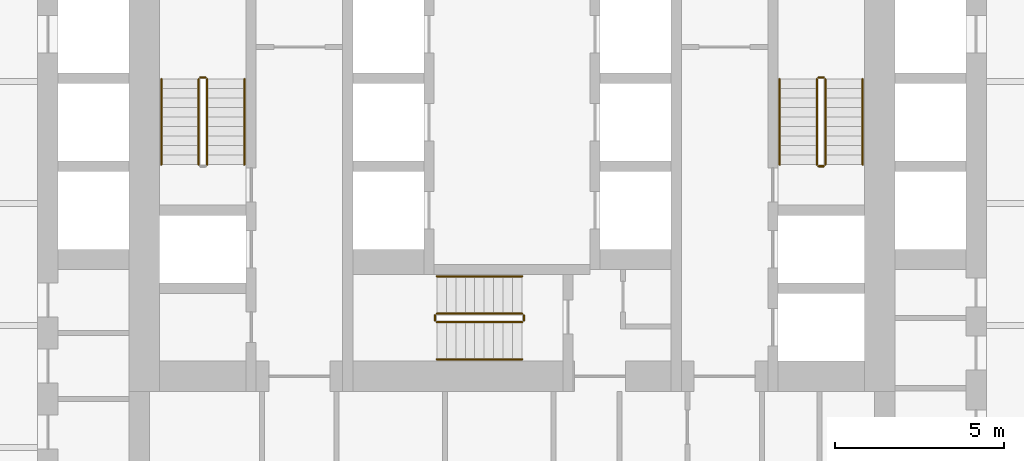
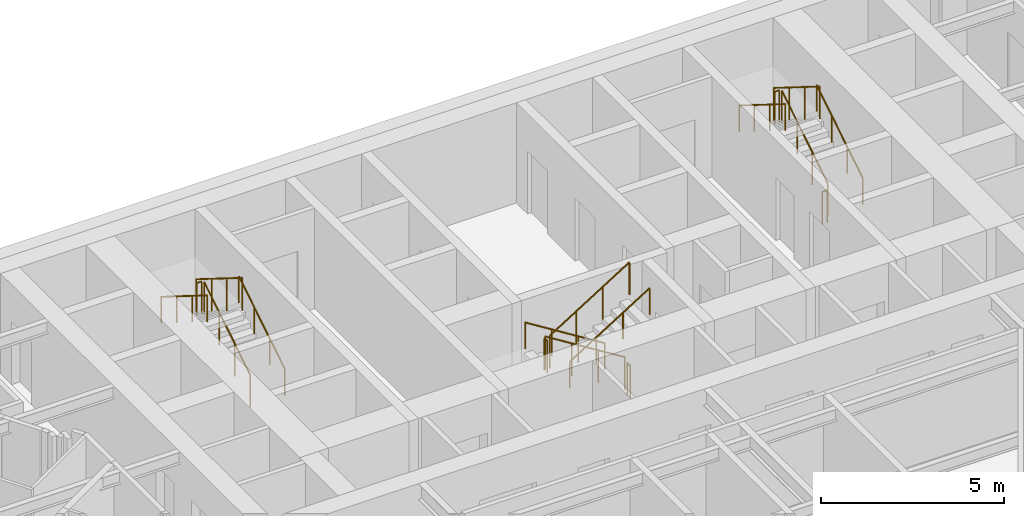
# One storey, part 11 of 11: 17 railings.
"""IFC4 building model written with IfcOpenShell, lengths in metres."""

from ifc_helpers import new_model, si_unit, direction, frame, origin, origin_2d, place, context, subcontext, project, spatial, circle, extrude, material, type_object, element, save


model = new_model("IFC4")

# Units and contexts
model_context = context("Model", 3, precision=1e-05, world=origin(), true_north=direction((0.0, 1.0)))
body_context = subcontext(model_context, "Body", "Model", "MODEL_VIEW")
ifc_project = project(units=[si_unit("LENGTHUNIT", "METRE"), si_unit("AREAUNIT", "SQUARE_METRE"), si_unit("VOLUMEUNIT", "CUBIC_METRE"), si_unit("PLANEANGLEUNIT", "RADIAN"), si_unit("MASSUNIT", "GRAM", prefix="KILO")], contexts=[model_context])

# Site, building, storey
site_placement = place(None, origin())
site = spatial("IfcSite", under=ifc_project, at=site_placement, CompositionType="ELEMENT")
building_placement = place(site_placement, origin())
building = spatial("IfcBuilding", under=site, at=building_placement, Name="Aloe Facet Convention Tower", CompositionType="ELEMENT")
storey_placement = place(building_placement, frame((0.0, 0.0, 66.5)))
storey = spatial("IfcBuildingStorey", under=building, at=storey_placement, Name="L15", CompositionType="ELEMENT", Elevation=66.5)

# Railings
ifc_material_1 = material(Name="Steel S355 balustrade", Category="steel")
railing_type_1 = type_object("IfcRailingType", Name="CR-RL-GUARD", PredefinedType="GUARDRAIL", material=ifc_material_1)
railing_1_placement = place(storey_placement, frame((71.0, 128.949951171875, 0.175048828125)))
element("IfcRailing", 1, at=railing_1_placement, inside=storey, type_object=railing_type_1, Name="L15 ST1 stair guard 1", PredefinedType="GUARDRAIL", context=body_context, shape_type="SweptSolid", body=[
    extrude(circle(Radius=0.02392578125, at=origin_2d()), frame((0.0, 0.0, 1.076171875), z_axis=(0.0, 0.848007534815, 0.529984170421), x_axis=(-1.0, 0.0, 0.0)), (0.0, 0.0, 1.0), 2.9716796875),
    extrude(circle(Radius=0.02099609375, at=origin_2d()), origin(), (0.0, 0.0, 1.0), 1.052001953125),
    extrude(circle(Radius=0.02099609375, at=origin_2d()), frame((0.0, 0.840087890625, 0.52490234375)), (0.0, 0.0, 1.0), 1.052001953125),
    extrude(circle(Radius=0.02099609375, at=origin_2d()), frame((0.0, 1.679931640625, 1.050048828125)), (0.0, 0.0, 1.0), 1.052001953125),
    extrude(circle(Radius=0.02099609375, at=origin_2d()), frame((0.0, 2.52001953125, 1.574951171875)), (0.0, 0.0, 1.0), 1.052001953125),
])
railing_2_placement = place(storey_placement, frame((70.949951171875, 131.52001953125, 1.75)))
element("IfcRailing", 2, at=railing_2_placement, inside=storey, type_object=railing_type_1, Name="L15 ST1 stair guard 2", PredefinedType="GUARDRAIL", context=body_context, shape_type="SweptSolid", body=[
    extrude(circle(Radius=0.02392578125, at=origin_2d()), frame((0.0, 0.0, 1.076171875), z_axis=(-1.0, 0.0, 0.0), x_axis=(0.0, -1.0, 0.0)), (0.0, 0.0, 1.0), 0.14990234375),
    extrude(circle(Radius=0.02099609375, at=origin_2d()), origin(), (0.0, 0.0, 1.0), 1.052001953125),
    extrude(circle(Radius=0.02099609375, at=origin_2d()), frame((-0.14990234375, 0.0, 0.0)), (0.0, 0.0, 1.0), 1.052001953125),
])
railing_3_placement = place(storey_placement, frame((70.75, 131.469970703125, 1.925048828125)))
element("IfcRailing", 3, at=railing_3_placement, inside=storey, type_object=railing_type_1, Name="L15 ST1 stair guard 3", PredefinedType="GUARDRAIL", context=body_context, shape_type="SweptSolid", body=[
    extrude(circle(Radius=0.02392578125, at=origin_2d()), frame((0.0, 0.0, 1.076171875), z_axis=(0.0, -0.848007534815, 0.529984170421), x_axis=(1.0, 0.0, 0.0)), (0.0, 0.0, 1.0), 2.9716796875),
    extrude(circle(Radius=0.02099609375, at=origin_2d()), origin(), (0.0, 0.0, 1.0), 1.052001953125),
    extrude(circle(Radius=0.02099609375, at=origin_2d()), frame((0.0, -0.840087890625, 0.52490234375)), (0.0, 0.0, 1.0), 1.052001953125),
    extrude(circle(Radius=0.02099609375, at=origin_2d()), frame((0.0, -1.679931640625, 1.050048828125)), (0.0, 0.0, 1.0), 1.052001953125),
    extrude(circle(Radius=0.02099609375, at=origin_2d()), frame((0.0, -2.52001953125, 1.574951171875)), (0.0, 0.0, 1.0), 1.052001953125),
])
railing_4_placement = place(storey_placement, frame((89.25, 128.949951171875, 0.175048828125)))
element("IfcRailing", 4, at=railing_4_placement, inside=storey, type_object=railing_type_1, Name="L15 ST2 stair guard 1", PredefinedType="GUARDRAIL", context=body_context, shape_type="SweptSolid", body=[
    extrude(circle(Radius=0.02392578125, at=origin_2d()), frame((0.0, 0.0, 1.076171875), z_axis=(0.0, 0.848007534815, 0.529984170421), x_axis=(-1.0, 0.0, 0.0)), (0.0, 0.0, 1.0), 2.9716796875),
    extrude(circle(Radius=0.02099609375, at=origin_2d()), origin(), (0.0, 0.0, 1.0), 1.052001953125),
    extrude(circle(Radius=0.02099609375, at=origin_2d()), frame((0.0, 0.840087890625, 0.52490234375)), (0.0, 0.0, 1.0), 1.052001953125),
    extrude(circle(Radius=0.02099609375, at=origin_2d()), frame((0.0, 1.679931640625, 1.050048828125)), (0.0, 0.0, 1.0), 1.052001953125),
    extrude(circle(Radius=0.02099609375, at=origin_2d()), frame((0.0, 2.52001953125, 1.574951171875)), (0.0, 0.0, 1.0), 1.052001953125),
])
railing_5_placement = place(storey_placement, frame((89.199951171875, 131.52001953125, 1.75)))
element("IfcRailing", 5, at=railing_5_placement, inside=storey, type_object=railing_type_1, Name="L15 ST2 stair guard 2", PredefinedType="GUARDRAIL", context=body_context, shape_type="SweptSolid", body=[
    extrude(circle(Radius=0.02392578125, at=origin_2d()), frame((0.0, 0.0, 1.076171875), z_axis=(-1.0, 0.0, 0.0), x_axis=(0.0, -1.0, 0.0)), (0.0, 0.0, 1.0), 0.14990234375),
    extrude(circle(Radius=0.02099609375, at=origin_2d()), origin(), (0.0, 0.0, 1.0), 1.052001953125),
    extrude(circle(Radius=0.02099609375, at=origin_2d()), frame((-0.14990234375, 0.0, 0.0)), (0.0, 0.0, 1.0), 1.052001953125),
])
railing_6_placement = place(storey_placement, frame((89.0, 131.469970703125, 1.925048828125)))
element("IfcRailing", 6, at=railing_6_placement, inside=storey, type_object=railing_type_1, Name="L15 ST2 stair guard 3", PredefinedType="GUARDRAIL", context=body_context, shape_type="SweptSolid", body=[
    extrude(circle(Radius=0.02392578125, at=origin_2d()), frame((0.0, 0.0, 1.076171875), z_axis=(0.0, -0.848007534815, 0.529984170421), x_axis=(1.0, 0.0, 0.0)), (0.0, 0.0, 1.0), 2.9716796875),
    extrude(circle(Radius=0.02099609375, at=origin_2d()), origin(), (0.0, 0.0, 1.0), 1.052001953125),
    extrude(circle(Radius=0.02099609375, at=origin_2d()), frame((0.0, -0.840087890625, 0.52490234375)), (0.0, 0.0, 1.0), 1.052001953125),
    extrude(circle(Radius=0.02099609375, at=origin_2d()), frame((0.0, -1.679931640625, 1.050048828125)), (0.0, 0.0, 1.0), 1.052001953125),
    extrude(circle(Radius=0.02099609375, at=origin_2d()), frame((0.0, -2.52001953125, 1.574951171875)), (0.0, 0.0, 1.0), 1.052001953125),
])
railing_7_placement = place(storey_placement, frame((89.199951171875, 128.89990234375, 0.0)))
element("IfcRailing", 7, at=railing_7_placement, inside=storey, type_object=railing_type_1, Name="L15 ST2 stair guard 4", PredefinedType="GUARDRAIL", context=body_context, shape_type="SweptSolid", body=[
    extrude(circle(Radius=0.02392578125, at=origin_2d()), frame((0.0, 0.0, 1.076171875), z_axis=(-1.0, 0.0, 0.0), x_axis=(0.0, -1.0, 0.0)), (0.0, 0.0, 1.0), 0.14990234375),
    extrude(circle(Radius=0.02099609375, at=origin_2d()), origin(), (0.0, 0.0, 1.0), 1.052001953125),
    extrude(circle(Radius=0.02099609375, at=origin_2d()), frame((-0.14990234375, 0.0, 0.0)), (0.0, 0.0, 1.0), 1.052001953125),
])
railing_8_placement = place(storey_placement, frame((80.300048828125, 124.550048828125, 0.175048828125)))
element("IfcRailing", 8, at=railing_8_placement, inside=storey, type_object=railing_type_1, Name="L15 ST3 stair guard 1", PredefinedType="GUARDRAIL", context=body_context, shape_type="SweptSolid", body=[
    extrude(circle(Radius=0.02392578125, at=origin_2d()), frame((0.0, 0.0, 1.076171875), z_axis=(-0.848007534815, 0.0, 0.529984170421), x_axis=(0.0, -1.0, 0.0)), (0.0, 0.0, 1.0), 2.9716796875),
    extrude(circle(Radius=0.02099609375, at=origin_2d()), origin(), (0.0, 0.0, 1.0), 1.052001953125),
    extrude(circle(Radius=0.02099609375, at=origin_2d()), frame((-0.840087890625, 0.0, 0.52490234375)), (0.0, 0.0, 1.0), 1.052001953125),
    extrude(circle(Radius=0.02099609375, at=origin_2d()), frame((-1.679931640625, 0.0, 1.050048828125)), (0.0, 0.0, 1.0), 1.052001953125),
    extrude(circle(Radius=0.02099609375, at=origin_2d()), frame((-2.52001953125, 0.0, 1.574951171875)), (0.0, 0.0, 1.0), 1.052001953125),
])
railing_9_placement = place(storey_placement, frame((77.72998046875, 124.5, 1.75)))
element("IfcRailing", 9, at=railing_9_placement, inside=storey, type_object=railing_type_1, Name="L15 ST3 stair guard 2", PredefinedType="GUARDRAIL", context=body_context, shape_type="SweptSolid", body=[
    extrude(circle(Radius=0.02392578125, at=origin_2d()), frame((0.0, 0.0, 1.076171875), z_axis=(0.0, -1.0, 0.0), x_axis=(1.0, 0.0, 0.0)), (0.0, 0.0, 1.0), 0.14990234375),
    extrude(circle(Radius=0.02099609375, at=origin_2d()), origin(), (0.0, 0.0, 1.0), 1.052001953125),
    extrude(circle(Radius=0.02099609375, at=origin_2d()), frame((0.0, -0.14990234375, 0.0)), (0.0, 0.0, 1.0), 1.052001953125),
])
railing_10_placement = place(storey_placement, frame((77.780029296875, 124.300048828125, 1.925048828125)))
element("IfcRailing", 10, at=railing_10_placement, inside=storey, type_object=railing_type_1, Name="L15 ST3 stair guard 3", PredefinedType="GUARDRAIL", context=body_context, shape_type="SweptSolid", body=[
    extrude(circle(Radius=0.02392578125, at=origin_2d()), frame((0.0, 0.0, 1.076171875), z_axis=(0.848007534815, 0.0, 0.529984170421), x_axis=(0.0, 1.0, 0.0)), (0.0, 0.0, 1.0), 2.9716796875),
    extrude(circle(Radius=0.02099609375, at=origin_2d()), origin(), (0.0, 0.0, 1.0), 1.052001953125),
    extrude(circle(Radius=0.02099609375, at=origin_2d()), frame((0.840087890625, 0.0, 0.52490234375)), (0.0, 0.0, 1.0), 1.052001953125),
    extrude(circle(Radius=0.02099609375, at=origin_2d()), frame((1.679931640625, 0.0, 1.050048828125)), (0.0, 0.0, 1.0), 1.052001953125),
    extrude(circle(Radius=0.02099609375, at=origin_2d()), frame((2.52001953125, 0.0, 1.574951171875)), (0.0, 0.0, 1.0), 1.052001953125),
])
railing_11_placement = place(storey_placement, frame((80.35009765625, 124.5, 0.0)))
element("IfcRailing", 11, at=railing_11_placement, inside=storey, type_object=railing_type_1, Name="L15 ST3 stair guard 4", PredefinedType="GUARDRAIL", context=body_context, shape_type="SweptSolid", body=[
    extrude(circle(Radius=0.02392578125, at=origin_2d()), frame((0.0, 0.0, 1.076171875), z_axis=(0.0, -1.0, 0.0), x_axis=(1.0, 0.0, 0.0)), (0.0, 0.0, 1.0), 0.14990234375),
    extrude(circle(Radius=0.02099609375, at=origin_2d()), origin(), (0.0, 0.0, 1.0), 1.052001953125),
    extrude(circle(Radius=0.02099609375, at=origin_2d()), frame((0.0, -0.14990234375, 0.0)), (0.0, 0.0, 1.0), 1.052001953125),
])
ifc_material_2 = material(Name="Steel S355 handrail", Category="steel")
railing_type_2 = type_object("IfcRailingType", Name="CR-RL-HAND", PredefinedType="HANDRAIL", material=ifc_material_2)
railing_12_placement = place(storey_placement, frame((72.10009765625, 128.949951171875, 0.175048828125)))
element("IfcRailing", 12, at=railing_12_placement, inside=storey, type_object=railing_type_2, Name="L15 ST1 stair handrail 1", PredefinedType="HANDRAIL", context=body_context, shape_type="SweptSolid", body=[
    extrude(circle(Radius=0.02392578125, at=origin_2d()), frame((0.0, 0.0, 0.8759765625), z_axis=(0.0, 0.848007534815, 0.529984170421), x_axis=(-1.0, 0.0, 0.0)), (0.0, 0.0, 1.0), 2.9716796875),
    extrude(circle(Radius=0.02099609375, at=origin_2d()), origin(), (0.0, 0.0, 1.0), 0.851806640625),
    extrude(circle(Radius=0.02099609375, at=origin_2d()), frame((0.0, 0.840087890625, 0.52490234375)), (0.0, 0.0, 1.0), 0.851806640625),
    extrude(circle(Radius=0.02099609375, at=origin_2d()), frame((0.0, 1.679931640625, 1.050048828125)), (0.0, 0.0, 1.0), 0.851806640625),
    extrude(circle(Radius=0.02099609375, at=origin_2d()), frame((0.0, 2.52001953125, 1.574951171875)), (0.0, 0.0, 1.0), 0.851806640625),
])
railing_13_placement = place(storey_placement, frame((69.64990234375, 131.469970703125, 1.925048828125)))
element("IfcRailing", 13, at=railing_13_placement, inside=storey, type_object=railing_type_2, Name="L15 ST1 stair handrail 2", PredefinedType="HANDRAIL", context=body_context, shape_type="SweptSolid", body=[
    extrude(circle(Radius=0.02392578125, at=origin_2d()), frame((0.0, 0.0, 0.8759765625), z_axis=(0.0, -0.848007534815, 0.529984170421), x_axis=(1.0, 0.0, 0.0)), (0.0, 0.0, 1.0), 2.9716796875),
    extrude(circle(Radius=0.02099609375, at=origin_2d()), origin(), (0.0, 0.0, 1.0), 0.851806640625),
    extrude(circle(Radius=0.02099609375, at=origin_2d()), frame((0.0, -0.840087890625, 0.52490234375)), (0.0, 0.0, 1.0), 0.851806640625),
    extrude(circle(Radius=0.02099609375, at=origin_2d()), frame((0.0, -1.679931640625, 1.050048828125)), (0.0, 0.0, 1.0), 0.851806640625),
    extrude(circle(Radius=0.02099609375, at=origin_2d()), frame((0.0, -2.52001953125, 1.574951171875)), (0.0, 0.0, 1.0), 0.851806640625),
])
railing_14_placement = place(storey_placement, frame((90.35009765625, 128.949951171875, 0.175048828125)))
element("IfcRailing", 14, at=railing_14_placement, inside=storey, type_object=railing_type_2, Name="L15 ST2 stair handrail 1", PredefinedType="HANDRAIL", context=body_context, shape_type="SweptSolid", body=[
    extrude(circle(Radius=0.02392578125, at=origin_2d()), frame((0.0, 0.0, 0.8759765625), z_axis=(0.0, 0.848007534815, 0.529984170421), x_axis=(-1.0, 0.0, 0.0)), (0.0, 0.0, 1.0), 2.9716796875),
    extrude(circle(Radius=0.02099609375, at=origin_2d()), origin(), (0.0, 0.0, 1.0), 0.851806640625),
    extrude(circle(Radius=0.02099609375, at=origin_2d()), frame((0.0, 0.840087890625, 0.52490234375)), (0.0, 0.0, 1.0), 0.851806640625),
    extrude(circle(Radius=0.02099609375, at=origin_2d()), frame((0.0, 1.679931640625, 1.050048828125)), (0.0, 0.0, 1.0), 0.851806640625),
    extrude(circle(Radius=0.02099609375, at=origin_2d()), frame((0.0, 2.52001953125, 1.574951171875)), (0.0, 0.0, 1.0), 0.851806640625),
])
railing_15_placement = place(storey_placement, frame((87.89990234375, 131.469970703125, 1.925048828125)))
element("IfcRailing", 15, at=railing_15_placement, inside=storey, type_object=railing_type_2, Name="L15 ST2 stair handrail 2", PredefinedType="HANDRAIL", context=body_context, shape_type="SweptSolid", body=[
    extrude(circle(Radius=0.02392578125, at=origin_2d()), frame((0.0, 0.0, 0.8759765625), z_axis=(0.0, -0.848007534815, 0.529984170421), x_axis=(1.0, 0.0, 0.0)), (0.0, 0.0, 1.0), 2.9716796875),
    extrude(circle(Radius=0.02099609375, at=origin_2d()), origin(), (0.0, 0.0, 1.0), 0.851806640625),
    extrude(circle(Radius=0.02099609375, at=origin_2d()), frame((0.0, -0.840087890625, 0.52490234375)), (0.0, 0.0, 1.0), 0.851806640625),
    extrude(circle(Radius=0.02099609375, at=origin_2d()), frame((0.0, -1.679931640625, 1.050048828125)), (0.0, 0.0, 1.0), 0.851806640625),
    extrude(circle(Radius=0.02099609375, at=origin_2d()), frame((0.0, -2.52001953125, 1.574951171875)), (0.0, 0.0, 1.0), 0.851806640625),
])
railing_16_placement = place(storey_placement, frame((80.300048828125, 125.64990234375, 0.175048828125)))
element("IfcRailing", 16, at=railing_16_placement, inside=storey, type_object=railing_type_2, Name="L15 ST3 stair handrail 1", PredefinedType="HANDRAIL", context=body_context, shape_type="SweptSolid", body=[
    extrude(circle(Radius=0.02392578125, at=origin_2d()), frame((0.0, 0.0, 0.8759765625), z_axis=(-0.848007534815, 0.0, 0.529984170421), x_axis=(0.0, -1.0, 0.0)), (0.0, 0.0, 1.0), 2.9716796875),
    extrude(circle(Radius=0.02099609375, at=origin_2d()), origin(), (0.0, 0.0, 1.0), 0.851806640625),
    extrude(circle(Radius=0.02099609375, at=origin_2d()), frame((-0.840087890625, 0.0, 0.52490234375)), (0.0, 0.0, 1.0), 0.851806640625),
    extrude(circle(Radius=0.02099609375, at=origin_2d()), frame((-1.679931640625, 0.0, 1.050048828125)), (0.0, 0.0, 1.0), 0.851806640625),
    extrude(circle(Radius=0.02099609375, at=origin_2d()), frame((-2.52001953125, 0.0, 1.574951171875)), (0.0, 0.0, 1.0), 0.851806640625),
])
railing_17_placement = place(storey_placement, frame((77.780029296875, 123.199951171875, 1.925048828125)))
element("IfcRailing", 17, at=railing_17_placement, inside=storey, type_object=railing_type_2, Name="L15 ST3 stair handrail 2", PredefinedType="HANDRAIL", context=body_context, shape_type="SweptSolid", body=[
    extrude(circle(Radius=0.02392578125, at=origin_2d()), frame((0.0, 0.0, 0.8759765625), z_axis=(0.848007534815, 0.0, 0.529984170421), x_axis=(0.0, 1.0, 0.0)), (0.0, 0.0, 1.0), 2.9716796875),
    extrude(circle(Radius=0.02099609375, at=origin_2d()), origin(), (0.0, 0.0, 1.0), 0.851806640625),
    extrude(circle(Radius=0.02099609375, at=origin_2d()), frame((0.840087890625, 0.0, 0.52490234375)), (0.0, 0.0, 1.0), 0.851806640625),
    extrude(circle(Radius=0.02099609375, at=origin_2d()), frame((1.679931640625, 0.0, 1.050048828125)), (0.0, 0.0, 1.0), 0.851806640625),
    extrude(circle(Radius=0.02099609375, at=origin_2d()), frame((2.52001953125, 0.0, 1.574951171875)), (0.0, 0.0, 1.0), 0.851806640625),
])

save(model, "model.ifc")
